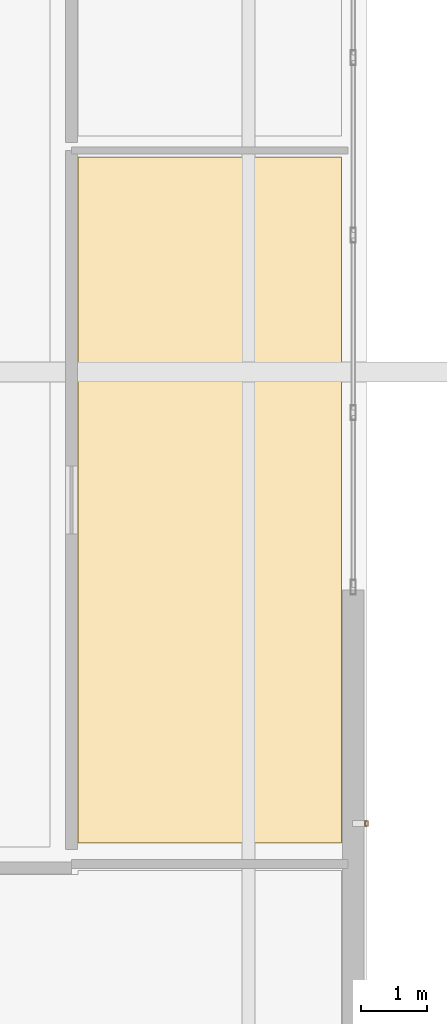
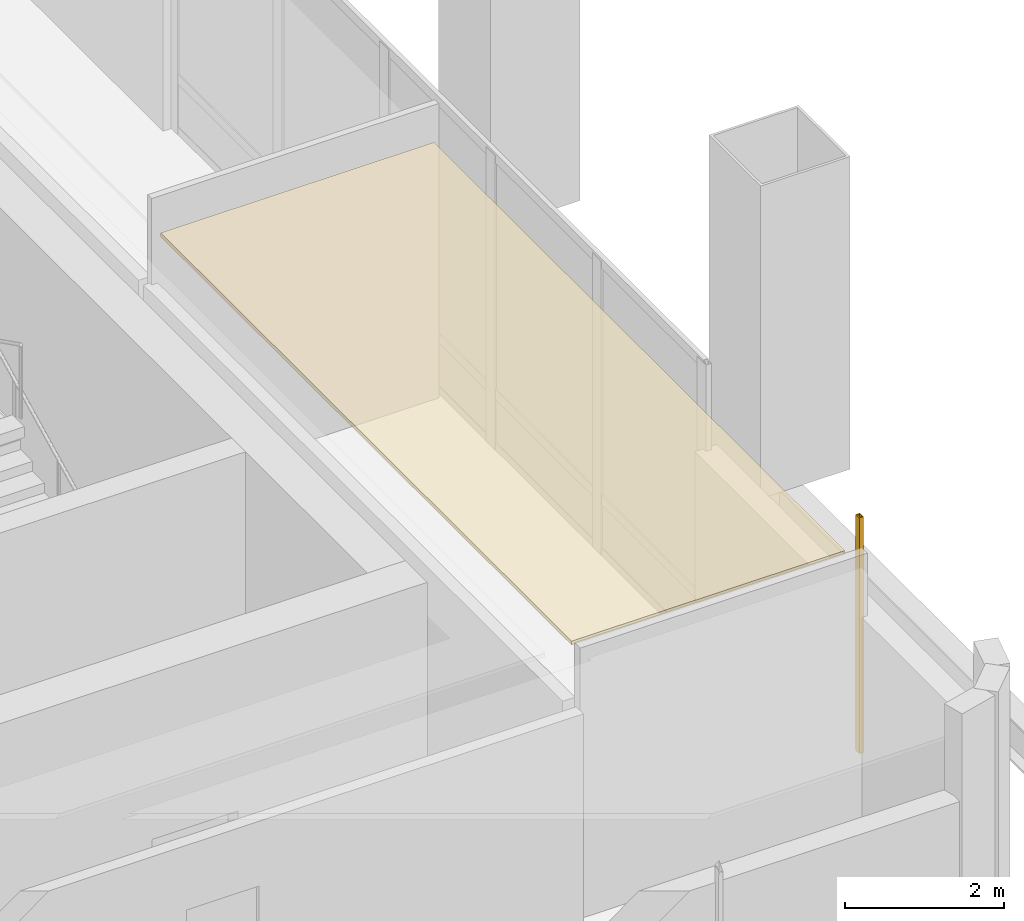
# One storey, part 29 of 33: 1 covering, 1 shading device.
"""IFC4 building model written with IfcOpenShell, lengths in metres."""

from ifc_helpers import new_model, si_unit, direction, frame, origin, origin_2d, place, context, subcontext, project, spatial, polyline, hollow_rectangle, outline, extrude, material, layer, layer_set, material_profile, profile_set, type_object, element, save


model = new_model("IFC4")

# Units and contexts
model_context = context("Model", 3, precision=1e-05, world=origin(), true_north=direction((0.0, 1.0)))
body_context = subcontext(model_context, "Body", "Model", "MODEL_VIEW")
ifc_project = project(units=[si_unit("LENGTHUNIT", "METRE"), si_unit("AREAUNIT", "SQUARE_METRE"), si_unit("VOLUMEUNIT", "CUBIC_METRE"), si_unit("PLANEANGLEUNIT", "RADIAN"), si_unit("MASSUNIT", "GRAM", prefix="KILO")], contexts=[model_context])

# Site, building, storey
site_placement = place(None, origin())
site = spatial("IfcSite", under=ifc_project, at=site_placement, CompositionType="ELEMENT")
building_placement = place(site_placement, origin())
building = spatial("IfcBuilding", under=site, at=building_placement, Name="Punatoya Terracotta Tower", CompositionType="ELEMENT")
storey_placement = place(building_placement, frame((0.0, 0.0, 246.60009765625)))
storey = spatial("IfcBuildingStorey", under=building, at=storey_placement, Name="L58", CompositionType="ELEMENT", Elevation=246.60009765625)

# Covering
ifc_material_1 = material(Name="Acoustic Mineral Fibre Ceiling")
ifc_layer = layer(ifc_material_1, 0.06005859375)
ifc_layer_set = layer_set([ifc_layer], Name="Acoustic Mineral Fibre Ceiling")
covering_type = type_object("IfcCoveringType", Name="COV-CEIL-60", PredefinedType="CEILING", material=ifc_layer_set)
covering_placement = place(storey_placement, frame((0.0, 0.0, 3.929931640625)))
element("IfcCovering", 1, at=covering_placement, inside=storey, type_object=covering_type, Name="L58 Collaborative Seminar Room Acoustic Ceiling", PredefinedType="CEILING", context=body_context, shape_type="SweptSolid", body=[
    extrude(outline(polyline([(15.949951171875, -10.5), (15.949951171875, -0.159912109375), (11.97998046875, -0.159912109375), (11.97998046875, -10.5), (15.949951171875, -10.5)])), origin(), (0.0, 0.0, 1.0), 0.06005859375),
])

# Shading device
ifc_material_2 = material(Name="Architectural Fired Terracotta", Category="masonry")
ifc_material_profile = material_profile(ifc_material_2, hollow_rectangle(XDim=0.06005859375, YDim=0.090087890625, WallThickness=0.013916015625, at=origin_2d()))
ifc_profile_set = profile_set([ifc_material_profile], Name="Architectural Fired Terracotta")
shading_device_type = type_object("IfcShadingDeviceType", Name="SHD-JALI-90", PredefinedType="JALOUSIE", material=ifc_profile_set)
shading_device_placement = place(storey_placement, frame((16.330078125, -10.20849609375, 0.599853515625), z_axis=(0.0, 0.0, 1.0), x_axis=(1.0, 0.0, 0.0)))
element("IfcShadingDevice", 2, at=shading_device_placement, inside=storey, type_object=shading_device_type, Name="L58 Braced Bay Terracotta Jali Fin E1", PredefinedType="JALOUSIE", context=body_context, shape_type="SweptSolid", body=[
    extrude(hollow_rectangle(XDim=0.06005859375, YDim=0.090087890625, WallThickness=0.013916015625, at=origin_2d()), origin(), (0.0, 0.0, 1.0), 3.6201171875),
])

save(model, "model.ifc")
